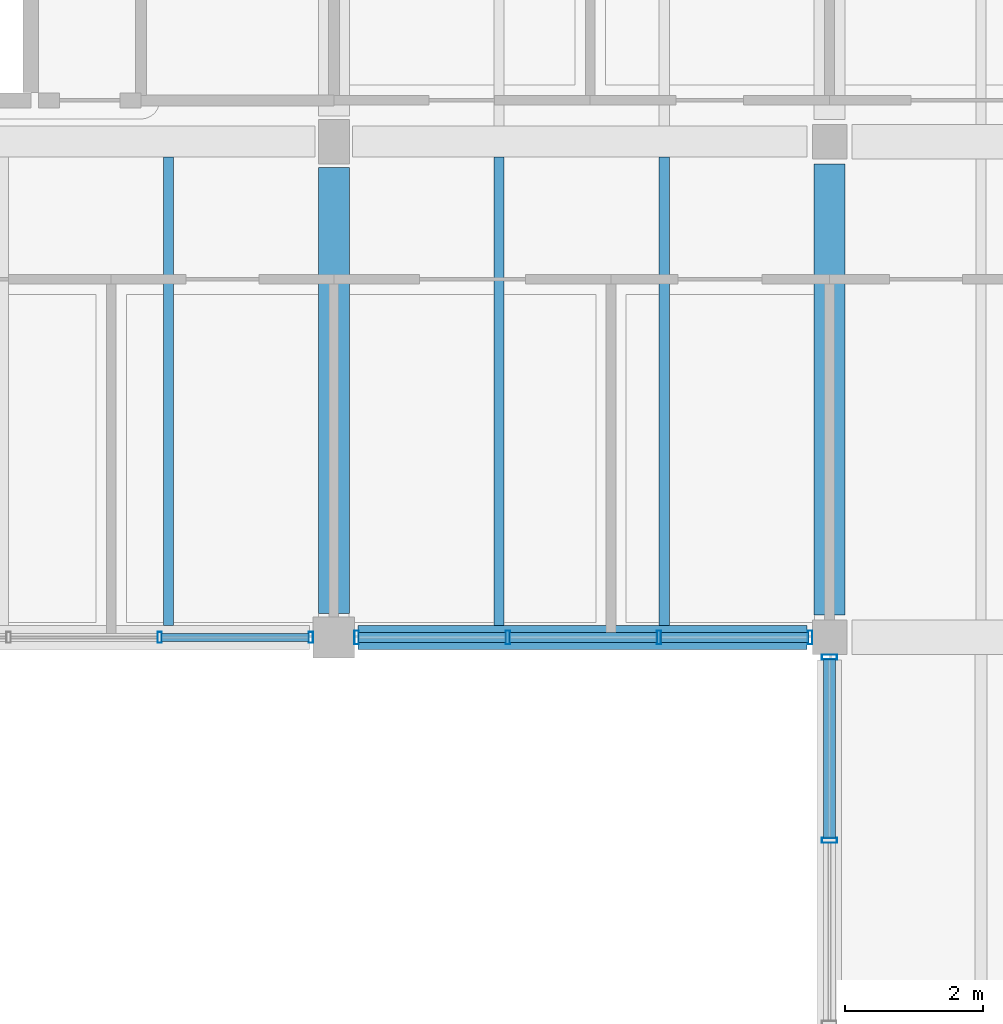
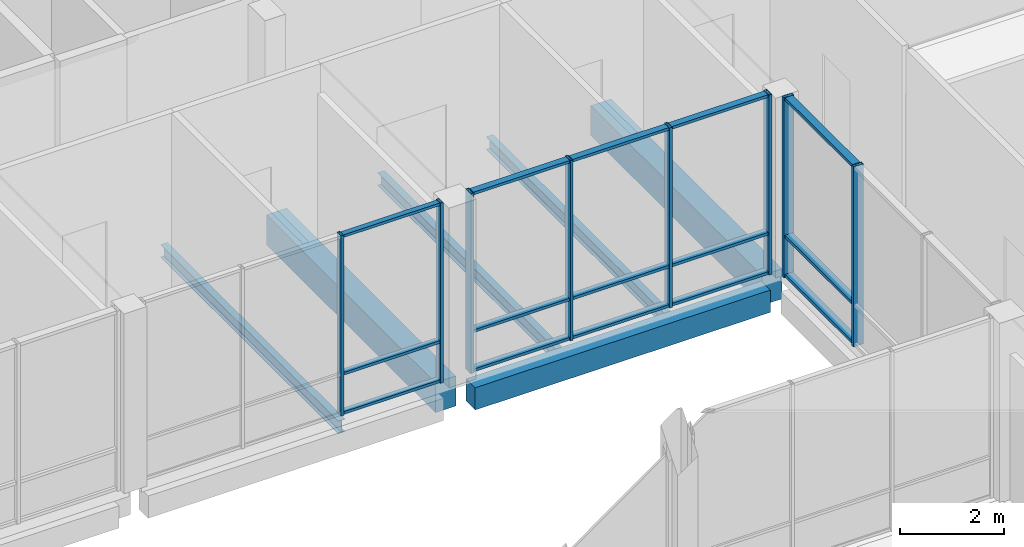
# One storey, part 40 of 104: 23 members, 6 beams, 3 elements without a shape of their own.
"""IFC4 building model written with IfcOpenShell, lengths in metres."""

import ifcopenshell
import ifcopenshell.guid

model = None  # the IFC model being written
_history = None  # IfcOwnerHistory: only IFC2X3 demands one
_inside = {}  # id of a spatial element -> (the spatial element, [elements in it])
_under = {}  # id of a project, library or spatial element -> (it, [spatial elements below it])
_declared = {}  # id of a project -> (the project, [libraries it declares])
_typed = {}  # id of a type object -> (the type object, [elements of that type])
_made_of = {}  # id of a material, layer set ... -> (it, [elements and type objects made of it])


def new_model(schema):
    """Start an empty IFC model of exactly this schema.

    Asked for "IFC4X3", IfcOpenShell would pick the latest addendum, in which some entities
    have other attributes; the version numbers below select the first issue.
    IFC2X3 requires an IfcOwnerHistory on every rooted entity: one is made here for all.
    """
    global model, _history
    if schema == "IFC4X3":
        model = ifcopenshell.file(schema_version=(4, 3, 0, 0))
    else:
        model = ifcopenshell.file(schema=schema)
    _inside.clear()
    _under.clear()
    _declared.clear()
    _typed.clear()
    _made_of.clear()
    _history = None
    if model.schema == "IFC2X3":
        org = make("IfcOrganization", Name="unknown")
        user = make(
            "IfcPersonAndOrganization",
            ThePerson=make("IfcPerson", FamilyName="unknown"),
            TheOrganization=org,
        )
        app = make(
            "IfcApplication",
            ApplicationDeveloper=org,
            Version="unknown",
            ApplicationFullName="unknown",
            ApplicationIdentifier="unknown",
        )
        _history = make(
            "IfcOwnerHistory",
            OwningUser=user,
            OwningApplication=app,
            ChangeAction="ADDED",
            CreationDate=0,
        )
    return model


def make(cls, **values):
    """One entity of the class cls with the attributes given. An attribute that is None is left unset."""
    return model.create_entity(
        cls, **{name: value for name, value in values.items() if value is not None}
    )


def rooted(cls, **values):
    """An entity with a GlobalId (a new one), such as an element, a storey or a relation."""
    return make(cls, GlobalId=ifcopenshell.guid.new(), OwnerHistory=_history, **values)


def si_unit(unit_type, name, prefix=None):
    """IfcSIUnit, for example si_unit("LENGTHUNIT", "METRE", prefix="MILLI")."""
    return make("IfcSIUnit", UnitType=unit_type, Prefix=prefix, Name=name)


def assignment(units):
    """IfcUnitAssignment: the units of a project."""
    return None if units is None else make("IfcUnitAssignment", Units=units)


def point(xyz):
    """IfcCartesianPoint."""
    return None if xyz is None else make("IfcCartesianPoint", Coordinates=xyz)


def direction(xyz):
    """IfcDirection."""
    return None if xyz is None else make("IfcDirection", DirectionRatios=xyz)


def frame(location, z_axis=None, x_axis=None):
    """IfcAxis2Placement3D, a coordinate frame: its origin and axes. An axis left out is left unset."""
    return make(
        "IfcAxis2Placement3D",
        Location=point(location),
        Axis=direction(z_axis),
        RefDirection=direction(x_axis),
    )


def frame_2d(location, x_axis=None):
    """IfcAxis2Placement2D, a coordinate frame in the plane: its origin and x axis."""
    return make(
        "IfcAxis2Placement2D", Location=point(location), RefDirection=direction(x_axis)
    )


def origin():
    """The frame at (0, 0, 0) with its axes left unset."""
    return frame((0.0, 0.0, 0.0))


def origin_2d():
    """The frame at (0, 0) in the plane with its x axis left unset."""
    return frame_2d((0.0, 0.0))


def place(relative_to, where):
    """IfcLocalPlacement: puts the frame where relative to a parent placement (None: the world)."""
    return make(
        "IfcLocalPlacement", PlacementRelTo=relative_to, RelativePlacement=where
    )


def context(
    kind, dimensions, precision=None, world=None, true_north=None, identifier=None
):
    """IfcGeometricRepresentationContext, for example the 3D "Model" context."""
    return make(
        "IfcGeometricRepresentationContext",
        ContextIdentifier=identifier,
        ContextType=kind,
        CoordinateSpaceDimension=dimensions,
        Precision=precision,
        WorldCoordinateSystem=world,
        TrueNorth=true_north,
    )


def subcontext(parent, identifier, kind, view, scale=None):
    """IfcGeometricRepresentationSubContext, for example "Body" below "Model"."""
    return make(
        "IfcGeometricRepresentationSubContext",
        ContextIdentifier=identifier,
        ContextType=kind,
        ParentContext=parent,
        TargetScale=scale,
        TargetView=view,
    )


def project(units=None, contexts=None):
    """IfcProject with its units and contexts."""
    return rooted(
        "IfcProject",
        Name="project",
        RepresentationContexts=contexts,
        UnitsInContext=assignment(units),
    )


def spatial(cls, under=None, at=None, **own):
    """A site, building, storey or space (cls), placed at a placement, below another one or the project."""
    s = rooted(cls, ObjectPlacement=at, **own)
    if under is not None:
        _under.setdefault(under.id(), (under, []))[1].append(s)
    return s


def profile(cls, at=None, kind="AREA", **sizes):
    """A parametric profile (cls). Its sizes go by their IFC names, for example OverallWidth=200.0."""
    return make(cls, ProfileType=kind, Position=at, **sizes)


def rectangle(**sizes):
    """IfcRectangleProfileDef."""
    return profile("IfcRectangleProfileDef", **sizes)


def hollow_rectangle(**sizes):
    """IfcRectangleHollowProfileDef."""
    return profile("IfcRectangleHollowProfileDef", **sizes)


def i_section(**sizes):
    """IfcIShapeProfileDef."""
    return profile("IfcIShapeProfileDef", **sizes)


def extrude(swept, where, along, depth):
    """IfcExtrudedAreaSolid: the profile swept, set in the frame where, extruded along a direction by depth."""
    return make(
        "IfcExtrudedAreaSolid",
        SweptArea=swept,
        Position=where,
        ExtrudedDirection=direction(along),
        Depth=depth,
    )


def shape(context_of_items, identifier, shape_type, items):
    """IfcShapeRepresentation: the items that make up one representation, for example the "Body"."""
    return make(
        "IfcShapeRepresentation",
        ContextOfItems=context_of_items,
        RepresentationIdentifier=identifier,
        RepresentationType=shape_type,
        Items=items,
    )


def material(Name=None, Category=None):
    """IfcMaterial."""
    return make("IfcMaterial", Name=Name, Category=Category)


def material_profile(
    of_material, cross_section, Name=None, Category=None, Priority=None
):
    """IfcMaterialProfile: a cross section and its material."""
    return make(
        "IfcMaterialProfile",
        Name=Name,
        Material=of_material,
        Profile=cross_section,
        Priority=Priority,
        Category=Category,
    )


def profile_set(profiles, Name=None, composite=None):
    """IfcMaterialProfileSet."""
    return make(
        "IfcMaterialProfileSet",
        Name=Name,
        MaterialProfiles=profiles,
        CompositeProfile=composite,
    )


def made_of(thing, what):
    """Note that an element or type object is made of a material, layer set ...; save() writes the relation."""
    if what is not None:
        _made_of.setdefault(what.id(), (what, []))[1].append(thing)
    return thing


def type_object(cls, material=None, **own):
    """A type object (cls), such as IfcWallType, which elements share."""
    return made_of(rooted(cls, **own), material)


def element(
    cls,
    number,
    at=None,
    inside=None,
    cuts=None,
    type_object=None,
    material=None,
    context=None,
    identifier="Body",
    shape_type=None,
    held_by="IfcProductDefinitionShape",
    body=None,
    shapes=None,
    **own,
):
    """One element of the class cls, such as IfcWall. Its Tag is "e" and its number.

    at: its placement. inside: the storey or other place that contains it. cuts: it is an
    opening in that element (IfcRelVoidsElement). A single representation is given by context,
    identifier, shape_type and body (its items); several are given by shapes. held_by: the class
    of the entity that holds the representations. save() writes the other relations.
    """
    e = rooted(cls, Tag="e%d" % number, ObjectPlacement=at, **own)
    if body is not None:
        shapes = [shape(context, identifier, shape_type, body)]
    if shapes is not None:
        e.Representation = make(held_by, Representations=shapes)
    if inside is not None:
        _inside.setdefault(inside.id(), (inside, []))[1].append(e)
    if cuts is not None:
        rooted(
            "IfcRelVoidsElement", RelatingBuildingElement=cuts, RelatedOpeningElement=e
        )
    if type_object is not None:
        _typed.setdefault(type_object.id(), (type_object, []))[1].append(e)
    return made_of(e, material)


def aggregate(whole, parts):
    """IfcRelAggregates: a whole, such as a stair, and the parts it consists of."""
    return rooted("IfcRelAggregates", RelatingObject=whole, RelatedObjects=parts)


def save(model, path):
    """Write the relations noted so far, then the file.

    IfcRelAggregates (storeys below a building ...), IfcRelContainedInSpatialStructure (elements
    in a storey), IfcRelDefinesByType, IfcRelAssociatesMaterial and IfcRelDeclares: one each for
    every whole, place, type object, material and project.
    """
    for whole, parts in _under.values():
        aggregate(whole, parts)
    for where, things in _inside.values():
        rooted(
            "IfcRelContainedInSpatialStructure",
            RelatedElements=things,
            RelatingStructure=where,
        )
    for kind, things in _typed.values():
        rooted("IfcRelDefinesByType", RelatedObjects=things, RelatingType=kind)
    for what, things in _made_of.values():
        rooted("IfcRelAssociatesMaterial", RelatedObjects=things, RelatingMaterial=what)
    for by, libraries in _declared.values():
        rooted("IfcRelDeclares", RelatingContext=by, RelatedDefinitions=libraries)
    model.write(path)


model = new_model("IFC4")

# Units and contexts
model_context = context("Model", 3, precision=1e-05, world=origin(), true_north=direction((0.0, 1.0)))
body_context = subcontext(model_context, "Body", "Model", "MODEL_VIEW")
ifc_project = project(units=[si_unit("LENGTHUNIT", "METRE"), si_unit("AREAUNIT", "SQUARE_METRE"), si_unit("VOLUMEUNIT", "CUBIC_METRE"), si_unit("PLANEANGLEUNIT", "RADIAN"), si_unit("MASSUNIT", "GRAM", prefix="KILO")], contexts=[model_context])

# Site, building, storey
site_placement = place(None, origin())
site = spatial("IfcSite", under=ifc_project, at=site_placement, CompositionType="ELEMENT")
building_placement = place(site_placement, origin())
building = spatial("IfcBuilding", under=site, at=building_placement, Name="Hawrajan Terrace Health Centre", CompositionType="ELEMENT")
storey_placement = place(building_placement, origin())
storey = spatial("IfcBuildingStorey", under=building, at=storey_placement, Name="L00", CompositionType="ELEMENT", Elevation=0.0)

# Curtain wall, members
ifc_material_1 = material(Name="Anodized bronze aluminium and low-E solar glazing", Category="aluminium")
curtain_wall_type_1 = type_object("IfcCurtainWallType", Name="CW_Diagnostic_SeriesM2", PredefinedType="USERDEFINED", material=ifc_material_1)
curtain_wall_1_placement = place(storey_placement, origin())
curtain_wall_1 = element("IfcCurtainWall", 1, at=curtain_wall_1_placement, inside=storey, type_object=curtain_wall_type_1, Name="Curtain wall CW-L00-024", ObjectType="UNITISED CURTAIN WALL", PredefinedType="USERDEFINED")
ifc_material_2 = material(Name="Anodized bronze aluminium 6063-T6", Category="aluminium")
ifc_material_profile_1 = material_profile(ifc_material_2, hollow_rectangle(XDim=0.06494140625, YDim=0.159912109375, WallThickness=0.00390625, at=origin_2d()), Name="CW MUL 65x160")
ifc_profile_set_1 = profile_set([ifc_material_profile_1], Name="Anodized bronze aluminium 6063-T6")
member_type_1 = type_object("IfcMemberType", Name="CWMullion_65x160", PredefinedType="MULLION", material=ifc_profile_set_1)
member_1_placement = place(storey_placement, frame((52.472412109375, 45.39990234375, -0.0048828125), z_axis=(0.0, 0.0, 1.0), x_axis=(1.0, 0.0, 0.0)))
member_1 = element("IfcMember", 2, at=member_1_placement, type_object=member_type_1, Name="Mullion CW-L00-024-M3", PredefinedType="MULLION", context=body_context, shape_type="SweptSolid", body=[
    extrude(hollow_rectangle(XDim=0.06494140625, YDim=0.159912109375, WallThickness=0.00390625, at=origin_2d()), origin(), (0.0, 0.0, 1.0), 4.2099609375),
])
member_2_placement = place(storey_placement, frame((54.66748046875, 45.39990234375, -0.0048828125), z_axis=(0.0, 0.0, 1.0), x_axis=(1.0, 0.0, 0.0)))
member_2 = element("IfcMember", 3, at=member_2_placement, type_object=member_type_1, Name="Mullion CW-L00-024-M4", PredefinedType="MULLION", context=body_context, shape_type="SweptSolid", body=[
    extrude(hollow_rectangle(XDim=0.06494140625, YDim=0.159912109375, WallThickness=0.00390625, at=origin_2d()), origin(), (0.0, 0.0, 1.0), 4.2099609375),
])

curtain_wall_type_2 = type_object("IfcCurtainWallType", Name="CW_Court_SeriesB1", PredefinedType="USERDEFINED", material=ifc_material_1)
curtain_wall_2_placement = place(storey_placement, origin())
curtain_wall_2 = element("IfcCurtainWall", 4, at=curtain_wall_2_placement, inside=storey, type_object=curtain_wall_type_2, Name="Curtain wall CW-L00-028", ObjectType="UNITISED CURTAIN WALL", PredefinedType="USERDEFINED")
ifc_material_profile_2 = material_profile(ifc_material_2, hollow_rectangle(XDim=0.06494140625, YDim=0.199951171875, WallThickness=0.00439453125, at=origin_2d()), Name="CW MUL 65x200")
ifc_profile_set_2 = profile_set([ifc_material_profile_2], Name="Anodized bronze aluminium 6063-T6")
member_type_2 = type_object("IfcMemberType", Name="CWMullion_65x200", PredefinedType="MULLION", material=ifc_profile_set_2)
member_3_placement = place(storey_placement, frame((55.33251953125, 45.39990234375, -0.0048828125), z_axis=(0.0, 0.0, 1.0), x_axis=(1.0, 0.0, 0.0)))
member_3 = element("IfcMember", 5, at=member_3_placement, type_object=member_type_2, Name="Mullion CW-L00-028-M1", PredefinedType="MULLION", context=body_context, shape_type="SweptSolid", body=[
    extrude(hollow_rectangle(XDim=0.06494140625, YDim=0.199951171875, WallThickness=0.00439453125, at=origin_2d()), origin(), (0.0, 0.0, 1.0), 4.2099609375),
])
member_4_placement = place(storey_placement, frame((57.527587890625, 45.39990234375, -0.0048828125), z_axis=(0.0, 0.0, 1.0), x_axis=(1.0, 0.0, 0.0)))
member_4 = element("IfcMember", 6, at=member_4_placement, type_object=member_type_2, Name="Mullion CW-L00-028-M2", PredefinedType="MULLION", context=body_context, shape_type="SweptSolid", body=[
    extrude(hollow_rectangle(XDim=0.06494140625, YDim=0.199951171875, WallThickness=0.00439453125, at=origin_2d()), origin(), (0.0, 0.0, 1.0), 4.2099609375),
])
member_5_placement = place(storey_placement, frame((59.722412109375, 45.39990234375, -0.0048828125), z_axis=(0.0, 0.0, 1.0), x_axis=(1.0, 0.0, 0.0)))
member_5 = element("IfcMember", 7, at=member_5_placement, type_object=member_type_2, Name="Mullion CW-L00-028-M3", PredefinedType="MULLION", context=body_context, shape_type="SweptSolid", body=[
    extrude(hollow_rectangle(XDim=0.06494140625, YDim=0.199951171875, WallThickness=0.00439453125, at=origin_2d()), origin(), (0.0, 0.0, 1.0), 4.2099609375),
])
member_6_placement = place(storey_placement, frame((61.91748046875, 45.39990234375, -0.0048828125), z_axis=(0.0, 0.0, 1.0), x_axis=(1.0, 0.0, 0.0)))
member_6 = element("IfcMember", 8, at=member_6_placement, type_object=member_type_2, Name="Mullion CW-L00-028-M4", PredefinedType="MULLION", context=body_context, shape_type="SweptSolid", body=[
    extrude(hollow_rectangle(XDim=0.06494140625, YDim=0.199951171875, WallThickness=0.00439453125, at=origin_2d()), origin(), (0.0, 0.0, 1.0), 4.2099609375),
])

curtain_wall_type_3 = type_object("IfcCurtainWallType", Name="CW_CourtNS_SeriesC2", PredefinedType="USERDEFINED", material=ifc_material_1)
curtain_wall_3_placement = place(storey_placement, origin())
curtain_wall_3 = element("IfcCurtainWall", 9, at=curtain_wall_3_placement, inside=storey, type_object=curtain_wall_type_3, Name="Curtain wall CW-L00-032", ObjectType="UNITISED CURTAIN WALL", PredefinedType="USERDEFINED")
ifc_material_profile_3 = material_profile(ifc_material_2, hollow_rectangle(XDim=0.074951171875, YDim=0.219970703125, WallThickness=0.0048828125, at=origin_2d()), Name="CW MUL 75x220")
ifc_profile_set_3 = profile_set([ifc_material_profile_3], Name="Anodized bronze aluminium 6063-T6")
member_type_3 = type_object("IfcMemberType", Name="CWMullion_75x220", PredefinedType="MULLION", material=ifc_profile_set_3)
member_7_placement = place(storey_placement, frame((62.199951171875, 42.4541015625, -0.0048828125), z_axis=(0.0, 0.0, 1.0), x_axis=(0.0, 1.0, 0.0)))
member_7 = element("IfcMember", 10, at=member_7_placement, type_object=member_type_3, Name="Mullion CW-L00-032-M3", PredefinedType="MULLION", context=body_context, shape_type="SweptSolid", body=[
    extrude(hollow_rectangle(XDim=0.074951171875, YDim=0.219970703125, WallThickness=0.0048828125, at=origin_2d()), origin(), (0.0, 0.0, 1.0), 4.2099609375),
])
member_8_placement = place(storey_placement, frame((62.199951171875, 45.112548828125, -0.0048828125), z_axis=(0.0, 0.0, 1.0), x_axis=(0.0, 1.0, 0.0)))
member_8 = element("IfcMember", 11, at=member_8_placement, type_object=member_type_3, Name="Mullion CW-L00-032-M4", PredefinedType="MULLION", context=body_context, shape_type="SweptSolid", body=[
    extrude(hollow_rectangle(XDim=0.074951171875, YDim=0.219970703125, WallThickness=0.0048828125, at=origin_2d()), origin(), (0.0, 0.0, 1.0), 4.2099609375),
])

# Member
ifc_material_profile_4 = material_profile(ifc_material_2, hollow_rectangle(XDim=0.06494140625, YDim=0.1201171875, WallThickness=0.00341796875, at=origin_2d()), Name="CW TRN 65x120")
ifc_profile_set_4 = profile_set([ifc_material_profile_4], Name="Anodized bronze aluminium 6063-T6")
member_type_4 = type_object("IfcMemberType", Name="CWTransom_65x120", PredefinedType="USERDEFINED", material=ifc_profile_set_4)
member_9_placement = place(storey_placement, frame((52.4990234375, 45.39990234375, 0.032470703125), z_axis=(1.0, 0.0, 0.0), x_axis=(0.0, 0.0, 1.0)))
member_9 = element("IfcMember", 12, at=member_9_placement, type_object=member_type_4, Name="Transom CW-L00-024-T3-1", ObjectType="TRANSOM", PredefinedType="USERDEFINED", context=body_context, shape_type="SweptSolid", body=[
    extrude(hollow_rectangle(XDim=0.06494140625, YDim=0.1201171875, WallThickness=0.00341796875, at=origin_2d()), origin(), (0.0, 0.0, 1.0), 2.14208984375),
])

member_10_placement = place(storey_placement, frame((52.4990234375, 45.39990234375, 0.949951171875), z_axis=(1.0, 0.0, 0.0), x_axis=(0.0, 0.0, 1.0)))
member_10 = element("IfcMember", 13, at=member_10_placement, type_object=member_type_4, Name="Transom CW-L00-024-T3-2", ObjectType="TRANSOM", PredefinedType="USERDEFINED", context=body_context, shape_type="SweptSolid", body=[
    extrude(hollow_rectangle(XDim=0.06494140625, YDim=0.1201171875, WallThickness=0.00341796875, at=origin_2d()), origin(), (0.0, 0.0, 1.0), 2.14208984375),
])

member_11_placement = place(storey_placement, frame((52.4990234375, 45.39990234375, 4.16748046875), z_axis=(1.0, 0.0, 0.0), x_axis=(0.0, 0.0, 1.0)))
member_11 = element("IfcMember", 14, at=member_11_placement, type_object=member_type_4, Name="Transom CW-L00-024-T3-3", ObjectType="TRANSOM", PredefinedType="USERDEFINED", context=body_context, shape_type="SweptSolid", body=[
    extrude(hollow_rectangle(XDim=0.06494140625, YDim=0.1201171875, WallThickness=0.00341796875, at=origin_2d()), origin(), (0.0, 0.0, 1.0), 2.14208984375),
])

aggregate(curtain_wall_1, [member_1, member_2, member_9, member_10, member_11])

ifc_material_profile_5 = material_profile(ifc_material_2, hollow_rectangle(XDim=0.06494140625, YDim=0.14990234375, WallThickness=0.00390625, at=origin_2d()), Name="CW TRN 65x150")
ifc_profile_set_5 = profile_set([ifc_material_profile_5], Name="Anodized bronze aluminium 6063-T6")
member_type_5 = type_object("IfcMemberType", Name="CWTransom_65x150", PredefinedType="USERDEFINED", material=ifc_profile_set_5)
member_12_placement = place(storey_placement, frame((55.35888671875, 45.39990234375, 0.032470703125), z_axis=(1.0, 0.0, 0.0), x_axis=(0.0, 0.0, 1.0)))
member_12 = element("IfcMember", 15, at=member_12_placement, type_object=member_type_5, Name="Transom CW-L00-028-T1-1", ObjectType="TRANSOM", PredefinedType="USERDEFINED", context=body_context, shape_type="SweptSolid", body=[
    extrude(hollow_rectangle(XDim=0.06494140625, YDim=0.14990234375, WallThickness=0.00390625, at=origin_2d()), origin(), (0.0, 0.0, 1.0), 2.14208984375),
])

member_13_placement = place(storey_placement, frame((55.35888671875, 45.39990234375, 0.949951171875), z_axis=(1.0, 0.0, 0.0), x_axis=(0.0, 0.0, 1.0)))
member_13 = element("IfcMember", 16, at=member_13_placement, type_object=member_type_5, Name="Transom CW-L00-028-T1-2", ObjectType="TRANSOM", PredefinedType="USERDEFINED", context=body_context, shape_type="SweptSolid", body=[
    extrude(hollow_rectangle(XDim=0.06494140625, YDim=0.14990234375, WallThickness=0.00390625, at=origin_2d()), origin(), (0.0, 0.0, 1.0), 2.14208984375),
])

member_14_placement = place(storey_placement, frame((55.35888671875, 45.39990234375, 4.16748046875), z_axis=(1.0, 0.0, 0.0), x_axis=(0.0, 0.0, 1.0)))
member_14 = element("IfcMember", 17, at=member_14_placement, type_object=member_type_5, Name="Transom CW-L00-028-T1-3", ObjectType="TRANSOM", PredefinedType="USERDEFINED", context=body_context, shape_type="SweptSolid", body=[
    extrude(hollow_rectangle(XDim=0.06494140625, YDim=0.14990234375, WallThickness=0.00390625, at=origin_2d()), origin(), (0.0, 0.0, 1.0), 2.14208984375),
])

member_15_placement = place(storey_placement, frame((57.553955078125, 45.39990234375, 0.032470703125), z_axis=(1.0, 0.0, 0.0), x_axis=(0.0, 0.0, 1.0)))
member_15 = element("IfcMember", 18, at=member_15_placement, type_object=member_type_5, Name="Transom CW-L00-028-T2-1", ObjectType="TRANSOM", PredefinedType="USERDEFINED", context=body_context, shape_type="SweptSolid", body=[
    extrude(hollow_rectangle(XDim=0.06494140625, YDim=0.14990234375, WallThickness=0.00390625, at=origin_2d()), origin(), (0.0, 0.0, 1.0), 2.14208984375),
])

member_16_placement = place(storey_placement, frame((57.553955078125, 45.39990234375, 0.949951171875), z_axis=(1.0, 0.0, 0.0), x_axis=(0.0, 0.0, 1.0)))
member_16 = element("IfcMember", 19, at=member_16_placement, type_object=member_type_5, Name="Transom CW-L00-028-T2-2", ObjectType="TRANSOM", PredefinedType="USERDEFINED", context=body_context, shape_type="SweptSolid", body=[
    extrude(hollow_rectangle(XDim=0.06494140625, YDim=0.14990234375, WallThickness=0.00390625, at=origin_2d()), origin(), (0.0, 0.0, 1.0), 2.14208984375),
])

member_17_placement = place(storey_placement, frame((57.553955078125, 45.39990234375, 4.16748046875), z_axis=(1.0, 0.0, 0.0), x_axis=(0.0, 0.0, 1.0)))
member_17 = element("IfcMember", 20, at=member_17_placement, type_object=member_type_5, Name="Transom CW-L00-028-T2-3", ObjectType="TRANSOM", PredefinedType="USERDEFINED", context=body_context, shape_type="SweptSolid", body=[
    extrude(hollow_rectangle(XDim=0.06494140625, YDim=0.14990234375, WallThickness=0.00390625, at=origin_2d()), origin(), (0.0, 0.0, 1.0), 2.14208984375),
])

member_18_placement = place(storey_placement, frame((59.7490234375, 45.39990234375, 0.032470703125), z_axis=(1.0, 0.0, 0.0), x_axis=(0.0, 0.0, 1.0)))
member_18 = element("IfcMember", 21, at=member_18_placement, type_object=member_type_5, Name="Transom CW-L00-028-T3-1", ObjectType="TRANSOM", PredefinedType="USERDEFINED", context=body_context, shape_type="SweptSolid", body=[
    extrude(hollow_rectangle(XDim=0.06494140625, YDim=0.14990234375, WallThickness=0.00390625, at=origin_2d()), origin(), (0.0, 0.0, 1.0), 2.14208984375),
])

member_19_placement = place(storey_placement, frame((59.7490234375, 45.39990234375, 0.949951171875), z_axis=(1.0, 0.0, 0.0), x_axis=(0.0, 0.0, 1.0)))
member_19 = element("IfcMember", 22, at=member_19_placement, type_object=member_type_5, Name="Transom CW-L00-028-T3-2", ObjectType="TRANSOM", PredefinedType="USERDEFINED", context=body_context, shape_type="SweptSolid", body=[
    extrude(hollow_rectangle(XDim=0.06494140625, YDim=0.14990234375, WallThickness=0.00390625, at=origin_2d()), origin(), (0.0, 0.0, 1.0), 2.14208984375),
])

member_20_placement = place(storey_placement, frame((59.7490234375, 45.39990234375, 4.16748046875), z_axis=(1.0, 0.0, 0.0), x_axis=(0.0, 0.0, 1.0)))
member_20 = element("IfcMember", 23, at=member_20_placement, type_object=member_type_5, Name="Transom CW-L00-028-T3-3", ObjectType="TRANSOM", PredefinedType="USERDEFINED", context=body_context, shape_type="SweptSolid", body=[
    extrude(hollow_rectangle(XDim=0.06494140625, YDim=0.14990234375, WallThickness=0.00390625, at=origin_2d()), origin(), (0.0, 0.0, 1.0), 2.14208984375),
])

aggregate(curtain_wall_2, [member_3, member_4, member_5, member_6, member_12, member_13, member_14, member_15, member_16, member_17, member_18, member_19, member_20])

ifc_material_profile_6 = material_profile(ifc_material_2, hollow_rectangle(XDim=0.074951171875, YDim=0.169921875, WallThickness=0.00439453125, at=origin_2d()), Name="CW TRN 75x170")
ifc_profile_set_6 = profile_set([ifc_material_profile_6], Name="Anodized bronze aluminium 6063-T6")
member_type_6 = type_object("IfcMemberType", Name="CWTransom_75x170", PredefinedType="USERDEFINED", material=ifc_profile_set_6)
member_21_placement = place(storey_placement, frame((62.199951171875, 42.485595703125, 0.03759765625), z_axis=(0.0, 1.0, 0.0), x_axis=(0.0, 0.0, 1.0)))
member_21 = element("IfcMember", 24, at=member_21_placement, type_object=member_type_6, Name="Transom CW-L00-032-T3-1", ObjectType="TRANSOM", PredefinedType="USERDEFINED", context=body_context, shape_type="SweptSolid", body=[
    extrude(hollow_rectangle(XDim=0.074951171875, YDim=0.169921875, WallThickness=0.00439453125, at=origin_2d()), origin(), (0.0, 0.0, 1.0), 2.595458984375),
])

member_22_placement = place(storey_placement, frame((62.199951171875, 42.485595703125, 0.949951171875), z_axis=(0.0, 1.0, 0.0), x_axis=(0.0, 0.0, 1.0)))
member_22 = element("IfcMember", 25, at=member_22_placement, type_object=member_type_6, Name="Transom CW-L00-032-T3-2", ObjectType="TRANSOM", PredefinedType="USERDEFINED", context=body_context, shape_type="SweptSolid", body=[
    extrude(hollow_rectangle(XDim=0.074951171875, YDim=0.169921875, WallThickness=0.00439453125, at=origin_2d()), origin(), (0.0, 0.0, 1.0), 2.595458984375),
])

member_23_placement = place(storey_placement, frame((62.199951171875, 42.485595703125, 4.16259765625), z_axis=(0.0, 1.0, 0.0), x_axis=(0.0, 0.0, 1.0)))
member_23 = element("IfcMember", 26, at=member_23_placement, type_object=member_type_6, Name="Transom CW-L00-032-T3-3", ObjectType="TRANSOM", PredefinedType="USERDEFINED", context=body_context, shape_type="SweptSolid", body=[
    extrude(hollow_rectangle(XDim=0.074951171875, YDim=0.169921875, WallThickness=0.00439453125, at=origin_2d()), origin(), (0.0, 0.0, 1.0), 2.595458984375),
])

aggregate(curtain_wall_3, [member_7, member_8, member_21, member_22, member_23])

# Beams
ifc_material_3 = material(Name="Concrete C40/50", Category="concrete")
ifc_material_profile_7 = material_profile(ifc_material_3, rectangle(XDim=0.449951171875, YDim=0.699951171875, at=origin_2d()), Name="RC BM 450x700")
ifc_profile_set_7 = profile_set([ifc_material_profile_7], Name="Concrete C40/50")
beam_type_1 = type_object("IfcBeamType", Name="RCGirder_450x700", PredefinedType="BEAM", material=ifc_profile_set_7)
beam_1_placement = place(storey_placement, frame((55.0, 45.75, -0.64990234375), z_axis=(0.0, 1.0, 0.0), x_axis=(-1.0, 0.0, 0.0)))
element("IfcBeam", 27, at=beam_1_placement, inside=storey, type_object=beam_type_1, Name="Beam BM-Y-L00-W-X08-6", PredefinedType="BEAM", context=body_context, shape_type="SweptSolid", body=[
    extrude(rectangle(XDim=0.449951171875, YDim=0.699951171875, at=origin_2d()), origin(), (0.0, 0.0, 1.0), 6.47509765625),
])
beam_2_placement = place(storey_placement, frame((62.199951171875, 45.72509765625, -0.64990234375), z_axis=(0.0, 1.0, 0.0), x_axis=(-1.0, 0.0, 0.0)))
element("IfcBeam", 28, at=beam_2_placement, inside=storey, type_object=beam_type_1, Name="Beam BM-Y-L00-W-X09-6", PredefinedType="BEAM", context=body_context, shape_type="SweptSolid", body=[
    extrude(rectangle(XDim=0.449951171875, YDim=0.699951171875, at=origin_2d()), origin(), (0.0, 0.0, 1.0), 6.5498046875),
])
ifc_material_profile_8 = material_profile(ifc_material_3, rectangle(XDim=0.35009765625, YDim=0.52001953125, at=origin_2d()), Name="RC SP 350x520")
ifc_profile_set_8 = profile_set([ifc_material_profile_8], Name="Concrete C40/50")
beam_type_2 = type_object("IfcBeamType", Name="RCSpandrel_350x520", PredefinedType="SPANDREL", material=ifc_profile_set_8)
beam_3_placement = place(storey_placement, frame((55.35009765625, 45.39990234375, -0.56005859375), z_axis=(1.0, 0.0, 0.0), x_axis=(0.0, 1.0, 0.0)))
element("IfcBeam", 29, at=beam_3_placement, inside=storey, type_object=beam_type_2, Name="Beam BM-X-L00-W-08-Y6", PredefinedType="SPANDREL", context=body_context, shape_type="SweptSolid", body=[
    extrude(rectangle(XDim=0.35009765625, YDim=0.52001953125, at=origin_2d()), origin(), (0.0, 0.0, 1.0), 6.52490234375),
])
ifc_material_4 = material(Name="Steel S355", Category="steel")
ifc_material_profile_9 = material_profile(ifc_material_4, i_section(OverallWidth=0.14990234375, OverallDepth=0.300048828125, WebThickness=0.007080078125, FlangeThickness=0.0107421875, FilletRadius=0.014892578125, at=origin_2d()), Name="IPE 300")
ifc_profile_set_9 = profile_set([ifc_material_profile_9], Name="Steel S355")
beam_type_3 = type_object("IfcBeamType", Name="SteelBeam_IPE300", PredefinedType="JOIST", material=ifc_profile_set_9)
for number, where, z_axis, x_axis, name in (
    (30, (52.60009765625, 45.574951171875, -0.449951171875), (0.0, 1.0, 0.0), (-1.0, 0.0, 0.0), "Secondary joist JST-L00-W-07-6-2"),
    (31, (57.39990234375, 45.574951171875, -0.449951171875), (0.0, 1.0, 0.0), (-1.0, 0.0, 0.0), "Secondary joist JST-L00-W-08-6-1"),
    (32, (59.800048828125, 45.574951171875, -0.449951171875), (0.0, 1.0, 0.0), (-1.0, 0.0, 0.0), "Secondary joist JST-L00-W-08-6-2"),
):
    element("IfcBeam", number, at=place(storey_placement, frame(where, z_axis=z_axis, x_axis=x_axis)), inside=storey, type_object=beam_type_3, Name=name, PredefinedType="JOIST", context=body_context, shape_type="SweptSolid", body=[
        extrude(i_section(OverallWidth=0.14990234375, OverallDepth=0.300048828125, WebThickness=0.007080078125, FlangeThickness=0.0107421875, FilletRadius=0.014892578125, at=origin_2d()), origin(), (0.0, 0.0, 1.0), 6.800048828125),
    ])

save(model, "model.ifc")
